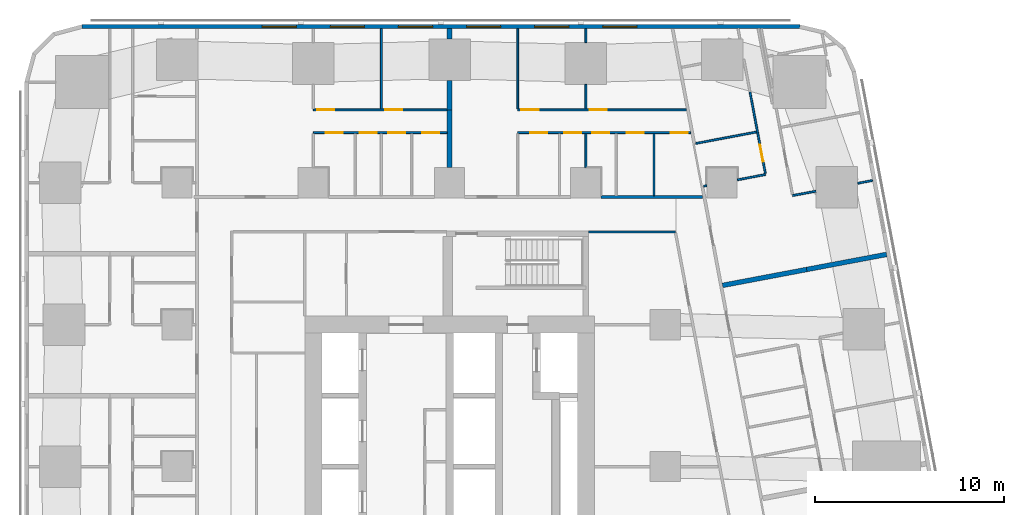
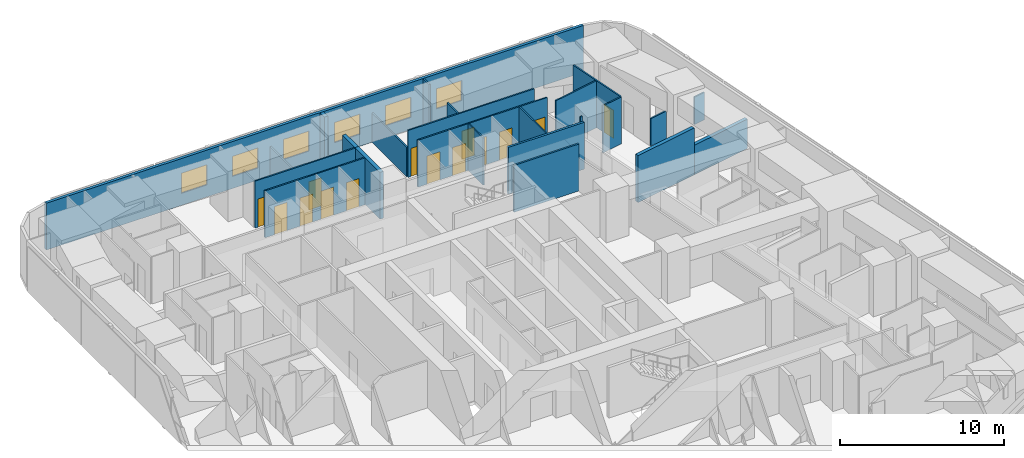
# One storey, part 9 of 15: 24 walls, 14 doors, 6 windows, 20 openings.
"""IFC4 building model written with IfcOpenShell, lengths in metres."""

from ifc_helpers import new_model, si_unit, direction, frame, frame_2d, origin, place, context, subcontext, project, spatial, rectangle, extrude, material, layer, layer_set, type_object, element, fill, save


model = new_model("IFC4")

# Units and contexts
model_context = context("Model", 3, precision=1e-05, world=origin(), true_north=direction((0.0, 1.0)))
body_context = subcontext(model_context, "Body", "Model", "MODEL_VIEW")
ifc_project = project(units=[si_unit("LENGTHUNIT", "METRE"), si_unit("AREAUNIT", "SQUARE_METRE"), si_unit("VOLUMEUNIT", "CUBIC_METRE"), si_unit("PLANEANGLEUNIT", "RADIAN"), si_unit("MASSUNIT", "GRAM", prefix="KILO")], contexts=[model_context])

# Site, building, storey
site_placement = place(None, origin())
site = spatial("IfcSite", under=ifc_project, at=site_placement, CompositionType="ELEMENT")
building_placement = place(site_placement, origin())
building = spatial("IfcBuilding", under=site, at=building_placement, Name="Sheger Commons Tower", CompositionType="ELEMENT")
storey_placement = place(building_placement, frame((0.0, 0.0, 100.39990234375)))
storey = spatial("IfcBuildingStorey", under=building, at=storey_placement, Name="L25", CompositionType="ELEMENT", Elevation=100.39990234375)

# Walls
ifc_material_1 = material(Name="Hollow concrete block masonry, skimmed both sides", Category="masonry")
ifc_layer_1 = layer(ifc_material_1, 0.14990234375)
ifc_layer_set_1 = layer_set([ifc_layer_1], Name="CORRIDOR WALL 150")
wall_type_1 = type_object("IfcWallType", Name="CORRIDOR WALL 150", PredefinedType="SOLIDWALL", material=ifc_layer_set_1)
wall_1_placement = place(storey_placement, frame((29.60107421875, 36.75, 0.0), z_axis=(0.0, 0.0, 1.0), x_axis=(1.0, 0.0, 0.0)))
element("IfcWall", 1, at=wall_1_placement, inside=storey, type_object=wall_type_1, Name="Corridor wall L25", PredefinedType="SOLIDWALL", context=body_context, shape_type="SweptSolid", body=[
    extrude(rectangle(XDim=5.371826171875, YDim=0.14990234375, at=frame_2d((2.68603515625, 0.0))), origin(), (0.0, 0.0, 1.0), 3.5),
])
ifc_material_2 = material(Name="Dense concrete block masonry, plastered both sides (separating wall between flats)", Category="masonry")
ifc_layer_2 = layer(ifc_material_2, 0.25)
ifc_layer_set_2 = layer_set([ifc_layer_2], Name="DEMISING WALL 250")
wall_type_2 = type_object("IfcWallType", Name="DEMISING WALL 250", PredefinedType="SOLIDWALL", material=ifc_layer_set_2)
wall_2_placement = place(storey_placement, frame((44.693115234375, 33.712890625, 0.0), z_axis=(0.0, 0.0, 1.0), x_axis=(-0.982633535512, -0.185556823879, 0.0)))
element("IfcWall", 2, at=wall_2_placement, inside=storey, type_object=wall_type_2, Name="Demising wall L25", PredefinedType="SOLIDWALL", context=body_context, shape_type="SweptSolid", body=[
    extrude(rectangle(XDim=4.2998046875, YDim=0.25, at=frame_2d((2.14990234375, 0.0))), origin(), (0.0, 0.0, 1.0), 2.2001953125),
])
wall_3_placement = place(storey_placement, frame((40.468017578125, 32.9150390625, 0.0), z_axis=(0.0, 0.0, 1.0), x_axis=(-0.982612837616, -0.185666398014, 0.0)))
element("IfcWall", 3, at=wall_3_placement, inside=storey, type_object=wall_type_2, Name="Demising wall L25", PredefinedType="SOLIDWALL", context=body_context, shape_type="SweptSolid", body=[
    extrude(rectangle(XDim=4.524658203125, YDim=0.25, at=frame_2d((2.26220703125, 0.0))), origin(), (0.0, 0.0, 1.0), 3.5),
])
wall_4_placement = place(storey_placement, frame((21.60009765625, 41.35009765625, 0.0), z_axis=(0.0, 0.0, 1.0), x_axis=(0.0, 1.0, 0.0)))
element("IfcWall", 4, at=wall_4_placement, inside=storey, type_object=wall_type_2, Name="Demising wall L25", PredefinedType="SOLIDWALL", context=body_context, shape_type="SweptSolid", body=[
    extrude(rectangle(XDim=1.548828125, YDim=0.25, at=frame_2d((0.7744140625, 0.0))), origin(), (0.0, 0.0, 1.0), 3.5),
])
wall_5_placement = place(storey_placement, frame((21.60009765625, 45.10107421875, 0.0), z_axis=(0.0, 0.0, 1.0), x_axis=(0.0, 1.0, 0.0)))
element("IfcWall", 5, at=wall_5_placement, inside=storey, type_object=wall_type_2, Name="Demising wall L25", PredefinedType="SOLIDWALL", context=body_context, shape_type="SweptSolid", body=[
    extrude(rectangle(XDim=0.548828125, YDim=0.25, at=frame_2d((0.2744140625, 0.0))), origin(), (0.0, 0.0, 1.0), 3.5),
])
wall_6_placement = place(storey_placement, frame((21.60009765625, 38.301025390625, 0.0), z_axis=(0.0, 0.0, 1.0), x_axis=(0.0, 1.0, 0.0)))
element("IfcWall", 6, at=wall_6_placement, inside=storey, type_object=wall_type_2, Name="Demising wall L25", PredefinedType="SOLIDWALL", context=body_context, shape_type="SweptSolid", body=[
    extrude(rectangle(XDim=3.049072265625, YDim=0.25, at=frame_2d((1.5244140625, 0.0))), origin(), (0.0, 0.0, 1.0), 3.5),
])

# Wall, openings, windows
ifc_material_3 = material(Name="Rendered concrete block masonry, dark grey", Category="masonry")
ifc_layer_3 = layer(ifc_material_3, 0.199951171875)
ifc_layer_set_3 = layer_set([ifc_layer_3], Name="FACADE WALL 200")
wall_type_3 = type_object("IfcWallType", Name="FACADE WALL 200", PredefinedType="SOLIDWALL", material=ifc_layer_set_3)
wall_7_placement = place(storey_placement, frame((40.10595703125, 45.75, 0.0), z_axis=(0.0, 0.0, 1.0), x_axis=(-1.0, 0.0, 0.0)))
wall_7 = element("IfcWall", 7, at=wall_7_placement, inside=storey, type_object=wall_type_3, Name="Facade wall L25", PredefinedType="SOLIDWALL", context=body_context, shape_type="SweptSolid", body=[
    extrude(rectangle(XDim=37.94287109375, YDim=0.199951171875, at=frame_2d((18.971435546875, 0.0))), origin(), (0.0, 0.0, 1.0), 3.5),
])
opening_1_placement = place(wall_7_placement, frame((8.60595703125, 0.0, 0.89990234375)))
opening_1 = element("IfcOpeningElement", 8, at=opening_1_placement, cuts=wall_7, Name="Opening W2", PredefinedType="OPENING", context=body_context, shape_type="SweptSolid", body=[
    extrude(rectangle(XDim=1.800048828125, YDim=1.5, at=frame_2d((0.89990234375, 0.75))), frame((0.0, 0.10986328125, 0.0), z_axis=(0.0, -1.0, 0.0), x_axis=(1.0, 0.0, 0.0)), (0.0, 0.0, 1.0), 0.219970703125),
])
opening_2_placement = place(wall_7_placement, frame((12.2060546875, 0.0, 0.89990234375)))
opening_2 = element("IfcOpeningElement", 9, at=opening_2_placement, cuts=wall_7, Name="Opening W2", PredefinedType="OPENING", context=body_context, shape_type="SweptSolid", body=[
    extrude(rectangle(XDim=1.800048828125, YDim=1.5, at=frame_2d((0.89990234375, 0.75))), frame((0.0, 0.10986328125, 0.0), z_axis=(0.0, -1.0, 0.0), x_axis=(1.0, 0.0, 0.0)), (0.0, 0.0, 1.0), 0.219970703125),
])
opening_3_placement = place(wall_7_placement, frame((15.805908203125, 0.0, 0.89990234375)))
opening_3 = element("IfcOpeningElement", 10, at=opening_3_placement, cuts=wall_7, Name="Opening W2", PredefinedType="OPENING", context=body_context, shape_type="SweptSolid", body=[
    extrude(rectangle(XDim=1.800048828125, YDim=1.5, at=frame_2d((0.89990234375, 0.75))), frame((0.0, 0.10986328125, 0.0), z_axis=(0.0, -1.0, 0.0), x_axis=(1.0, 0.0, 0.0)), (0.0, 0.0, 1.0), 0.219970703125),
])
opening_4_placement = place(wall_7_placement, frame((19.406005859375, 0.0, 0.89990234375)))
opening_4 = element("IfcOpeningElement", 11, at=opening_4_placement, cuts=wall_7, Name="Opening W2", PredefinedType="OPENING", context=body_context, shape_type="SweptSolid", body=[
    extrude(rectangle(XDim=1.800048828125, YDim=1.5, at=frame_2d((0.89990234375, 0.75))), frame((0.0, 0.10986328125, 0.0), z_axis=(0.0, -1.0, 0.0), x_axis=(1.0, 0.0, 0.0)), (0.0, 0.0, 1.0), 0.219970703125),
])
opening_5_placement = place(wall_7_placement, frame((23.006103515625, 0.0, 0.89990234375)))
opening_5 = element("IfcOpeningElement", 12, at=opening_5_placement, cuts=wall_7, Name="Opening W2", PredefinedType="OPENING", context=body_context, shape_type="SweptSolid", body=[
    extrude(rectangle(XDim=1.800048828125, YDim=1.5, at=frame_2d((0.89990234375, 0.75))), frame((0.0, 0.10986328125, 0.0), z_axis=(0.0, -1.0, 0.0), x_axis=(1.0, 0.0, 0.0)), (0.0, 0.0, 1.0), 0.219970703125),
])
opening_6_placement = place(wall_7_placement, frame((26.60595703125, 0.0, 0.89990234375)))
opening_6 = element("IfcOpeningElement", 13, at=opening_6_placement, cuts=wall_7, Name="Opening W2", PredefinedType="OPENING", context=body_context, shape_type="SweptSolid", body=[
    extrude(rectangle(XDim=1.800048828125, YDim=1.5, at=frame_2d((0.89990234375, 0.75))), frame((0.0, 0.10986328125, 0.0), z_axis=(0.0, -1.0, 0.0), x_axis=(1.0, 0.0, 0.0)), (0.0, 0.0, 1.0), 0.219970703125),
])
ifc_material_4 = material(Name="Black aluminium frame, dark tinted double glazing", Category="aluminium")
window_type = type_object("IfcWindowType", Name="WINDOW W2 1800x1500", PartitioningType="SINGLE_PANEL", PredefinedType="WINDOW", material=ifc_material_4)
window_1_placement = place(opening_1_placement, origin())
window_1 = element("IfcWindow", 14, at=window_1_placement, inside=storey, type_object=window_type, Name="Window W2 1800X1500", OverallHeight=1.5, OverallWidth=1.800048828125, PartitioningType="SINGLE_PANEL", PredefinedType="WINDOW", context=body_context, shape_type="SweptSolid", body=[
    extrude(rectangle(XDim=1.800048828125, YDim=1.5, at=frame_2d((0.89990234375, 0.75))), frame((0.0, 0.030029296875, 0.0), z_axis=(0.0, -1.0, 0.0), x_axis=(1.0, 0.0, 0.0)), (0.0, 0.0, 1.0), 0.06005859375),
])
fill(opening_1, window_1)
window_2_placement = place(opening_2_placement, origin())
window_2 = element("IfcWindow", 15, at=window_2_placement, inside=storey, type_object=window_type, Name="Window W2 1800X1500", OverallHeight=1.5, OverallWidth=1.800048828125, PartitioningType="SINGLE_PANEL", PredefinedType="WINDOW", context=body_context, shape_type="SweptSolid", body=[
    extrude(rectangle(XDim=1.800048828125, YDim=1.5, at=frame_2d((0.89990234375, 0.75))), frame((0.0, 0.030029296875, 0.0), z_axis=(0.0, -1.0, 0.0), x_axis=(1.0, 0.0, 0.0)), (0.0, 0.0, 1.0), 0.06005859375),
])
fill(opening_2, window_2)
window_3_placement = place(opening_3_placement, origin())
window_3 = element("IfcWindow", 16, at=window_3_placement, inside=storey, type_object=window_type, Name="Window W2 1800X1500", OverallHeight=1.5, OverallWidth=1.800048828125, PartitioningType="SINGLE_PANEL", PredefinedType="WINDOW", context=body_context, shape_type="SweptSolid", body=[
    extrude(rectangle(XDim=1.800048828125, YDim=1.5, at=frame_2d((0.89990234375, 0.75))), frame((0.0, 0.030029296875, 0.0), z_axis=(0.0, -1.0, 0.0), x_axis=(1.0, 0.0, 0.0)), (0.0, 0.0, 1.0), 0.06005859375),
])
fill(opening_3, window_3)
window_4_placement = place(opening_4_placement, origin())
window_4 = element("IfcWindow", 17, at=window_4_placement, inside=storey, type_object=window_type, Name="Window W2 1800X1500", OverallHeight=1.5, OverallWidth=1.800048828125, PartitioningType="SINGLE_PANEL", PredefinedType="WINDOW", context=body_context, shape_type="SweptSolid", body=[
    extrude(rectangle(XDim=1.800048828125, YDim=1.5, at=frame_2d((0.89990234375, 0.75))), frame((0.0, 0.030029296875, 0.0), z_axis=(0.0, -1.0, 0.0), x_axis=(1.0, 0.0, 0.0)), (0.0, 0.0, 1.0), 0.06005859375),
])
fill(opening_4, window_4)
window_5_placement = place(opening_5_placement, origin())
window_5 = element("IfcWindow", 18, at=window_5_placement, inside=storey, type_object=window_type, Name="Window W2 1800X1500", OverallHeight=1.5, OverallWidth=1.800048828125, PartitioningType="SINGLE_PANEL", PredefinedType="WINDOW", context=body_context, shape_type="SweptSolid", body=[
    extrude(rectangle(XDim=1.800048828125, YDim=1.5, at=frame_2d((0.89990234375, 0.75))), frame((0.0, 0.030029296875, 0.0), z_axis=(0.0, -1.0, 0.0), x_axis=(1.0, 0.0, 0.0)), (0.0, 0.0, 1.0), 0.06005859375),
])
fill(opening_5, window_5)
window_6_placement = place(opening_6_placement, origin())
window_6 = element("IfcWindow", 19, at=window_6_placement, inside=storey, type_object=window_type, Name="Window W2 1800X1500", OverallHeight=1.5, OverallWidth=1.800048828125, PartitioningType="SINGLE_PANEL", PredefinedType="WINDOW", context=body_context, shape_type="SweptSolid", body=[
    extrude(rectangle(XDim=1.800048828125, YDim=1.5, at=frame_2d((0.89990234375, 0.75))), frame((0.0, 0.030029296875, 0.0), z_axis=(0.0, -1.0, 0.0), x_axis=(1.0, 0.0, 0.0)), (0.0, 0.0, 1.0), 0.06005859375),
])
fill(opening_6, window_6)

# Wall, opening, door
ifc_material_5 = material(Name="Gypsum board on steel studs", Category="steel")
ifc_layer_4 = layer(ifc_material_5, 0.10009765625)
ifc_layer_set_4 = layer_set([ifc_layer_4], Name="PARTITION 100")
wall_type_4 = type_object("IfcWallType", Name="PARTITION 100", PredefinedType="PARTITIONING", material=ifc_layer_set_4)
wall_8_placement = place(storey_placement, frame((37.471923828125, 42.30908203125, 0.0), z_axis=(0.0, 0.0, 1.0), x_axis=(0.185641287362, -0.982617581985, 0.0)))
wall_8 = element("IfcWall", 20, at=wall_8_placement, inside=storey, type_object=wall_type_4, Name="Partition L25", PredefinedType="PARTITIONING", context=body_context, shape_type="SweptSolid", body=[
    extrude(rectangle(XDim=4.401611328125, YDim=0.10009765625, at=frame_2d((2.20068359375, 0.0))), origin(), (0.0, 0.0, 1.0), 3.5),
])
opening_7_placement = place(wall_8_placement, frame((2.85400390625, 0.0, 0.0)))
opening_7 = element("IfcOpeningElement", 21, at=opening_7_placement, cuts=wall_8, Name="Opening D2", PredefinedType="OPENING", context=body_context, shape_type="SweptSolid", body=[
    extrude(rectangle(XDim=0.89990234375, YDim=2.10009765625, at=frame_2d((0.449951171875, 1.050048828125))), frame((0.0, 0.06005859375, 0.0), z_axis=(0.0, -1.0, 0.0), x_axis=(1.0, 0.0, 0.0)), (0.0, 0.0, 1.0), 0.1201171875),
])
ifc_material_6 = material(Name="Timber door set", Category="wood")
door_type = type_object("IfcDoorType", Name="INTERNAL DOOR 900x2100", OperationType="NOTDEFINED", PredefinedType="DOOR", material=ifc_material_6)
door_1_placement = place(opening_7_placement, origin())
door_1 = element("IfcDoor", 22, at=door_1_placement, inside=storey, type_object=door_type, Name="Bathroom door", OperationType="SINGLE_SWING_LEFT", OverallHeight=2.10009765625, OverallWidth=0.89990234375, PredefinedType="DOOR", context=body_context, shape_type="SweptSolid", body=[
    extrude(rectangle(XDim=0.89990234375, YDim=2.10009765625, at=frame_2d((0.449951171875, 1.050048828125))), frame((0.0, 0.02490234375, 0.0), z_axis=(0.0, -1.0, 0.0), x_axis=(1.0, 0.0, 0.0)), (0.0, 0.0, 1.0), 0.050048828125),
])
fill(opening_7, door_1)

# Walls
wall_9_placement = place(storey_placement, frame((43.955078125, 37.6201171875, 0.0), z_axis=(0.0, 0.0, 1.0), x_axis=(-0.98247004097, -0.186420542316, 0.0)))
element("IfcWall", 23, at=wall_9_placement, inside=storey, type_object=wall_type_4, Name="Partition L25", PredefinedType="PARTITIONING", context=body_context, shape_type="SweptSolid", body=[
    extrude(rectangle(XDim=0.794921875, YDim=0.10009765625, at=frame_2d((0.3974609375, 0.0))), origin(), (0.0, 0.0, 1.0), 2.050048828125),
])
wall_10_placement = place(storey_placement, frame((40.9541015625, 37.052978515625, 0.0), z_axis=(0.0, 0.0, 1.0), x_axis=(-0.982663001154, -0.185400717808, 0.0)))
element("IfcWall", 24, at=wall_10_placement, inside=storey, type_object=wall_type_4, Name="Partition L25", PredefinedType="PARTITIONING", context=body_context, shape_type="SweptSolid", body=[
    extrude(rectangle(XDim=1.24560546875, YDim=0.10009765625, at=frame_2d((0.622802734375, 0.0))), origin(), (0.0, 0.0, 1.0), 2.050048828125),
])
wall_11_placement = place(storey_placement, frame((37.822998046875, 40.181884765625, 0.0), z_axis=(0.0, 0.0, 1.0), x_axis=(-0.982664729897, -0.18539155487, 0.0)))
element("IfcWall", 25, at=wall_11_placement, inside=storey, type_object=wall_type_4, Name="Partition L25", PredefinedType="PARTITIONING", context=body_context, shape_type="SweptSolid", body=[
    extrude(rectangle(XDim=3.273681640625, YDim=0.10009765625, at=frame_2d((1.63671875, 0.0))), origin(), (0.0, 0.0, 1.0), 3.5),
])
wall_12_placement = place(storey_placement, frame((38.299072265625, 37.93505859375, 0.0), z_axis=(0.0, 0.0, 1.0), x_axis=(-0.982536828695, -0.186068213993, 0.0)))
element("IfcWall", 26, at=wall_12_placement, inside=storey, type_object=wall_type_4, Name="Partition L25", PredefinedType="PARTITIONING", context=body_context, shape_type="SweptSolid", body=[
    extrude(rectangle(XDim=1.515380859375, YDim=0.10009765625, at=frame_2d((0.7578125, 0.0))), origin(), (0.0, 0.0, 1.0), 3.5),
])
wall_13_placement = place(storey_placement, frame((35.18994140625, 37.346923828125, 0.0), z_axis=(0.0, 0.0, 1.0), x_axis=(-0.982404955251, -0.186763229514, 0.0)))
element("IfcWall", 27, at=wall_13_placement, inside=storey, type_object=wall_type_4, Name="Partition L25", PredefinedType="PARTITIONING", context=body_context, shape_type="SweptSolid", body=[
    extrude(rectangle(XDim=0.160888671875, YDim=0.10009765625, at=frame_2d((0.08056640625, 0.0))), origin(), (0.0, 0.0, 1.0), 3.5),
])

# Wall, openings, doors
wall_14_placement = place(storey_placement, frame((14.39990234375, 41.35009765625, 0.0), z_axis=(0.0, 0.0, 1.0), x_axis=(1.0, 0.0, 0.0)))
wall_14 = element("IfcWall", 28, at=wall_14_placement, inside=storey, type_object=wall_type_4, Name="Partition L25", PredefinedType="PARTITIONING", context=body_context, shape_type="SweptSolid", body=[
    extrude(rectangle(XDim=7.0751953125, YDim=0.10009765625, at=frame_2d((3.53759765625, 0.0))), origin(), (0.0, 0.0, 1.0), 3.5),
])
opening_8_placement = place(wall_14_placement, frame((0.199951171875, 0.0, 0.0)))
opening_8 = element("IfcOpeningElement", 29, at=opening_8_placement, cuts=wall_14, Name="Opening D2", PredefinedType="OPENING", context=body_context, shape_type="SweptSolid", body=[
    extrude(rectangle(XDim=0.89990234375, YDim=2.10009765625, at=frame_2d((0.449951171875, 1.050048828125))), frame((0.0, 0.06005859375, 0.0), z_axis=(0.0, -1.0, 0.0), x_axis=(1.0, 0.0, 0.0)), (0.0, 0.0, 1.0), 0.1201171875),
])
opening_9_placement = place(wall_14_placement, frame((3.800048828125, 0.0, 0.0)))
opening_9 = element("IfcOpeningElement", 30, at=opening_9_placement, cuts=wall_14, Name="Opening D2", PredefinedType="OPENING", context=body_context, shape_type="SweptSolid", body=[
    extrude(rectangle(XDim=0.89990234375, YDim=2.10009765625, at=frame_2d((0.449951171875, 1.050048828125))), frame((0.0, 0.06005859375, 0.0), z_axis=(0.0, -1.0, 0.0), x_axis=(1.0, 0.0, 0.0)), (0.0, 0.0, 1.0), 0.1201171875),
])
door_2_placement = place(opening_8_placement, origin())
door_2 = element("IfcDoor", 31, at=door_2_placement, inside=storey, type_object=door_type, Name="Main bedroom door", OperationType="SINGLE_SWING_LEFT", OverallHeight=2.10009765625, OverallWidth=0.89990234375, PredefinedType="DOOR", context=body_context, shape_type="SweptSolid", body=[
    extrude(rectangle(XDim=0.89990234375, YDim=2.10009765625, at=frame_2d((0.449951171875, 1.050048828125))), frame((0.0, 0.02490234375, 0.0), z_axis=(0.0, -1.0, 0.0), x_axis=(1.0, 0.0, 0.0)), (0.0, 0.0, 1.0), 0.050048828125),
])
fill(opening_8, door_2)
door_3_placement = place(opening_9_placement, origin())
door_3 = element("IfcDoor", 32, at=door_3_placement, inside=storey, type_object=door_type, Name="Bedroom 2 door", OperationType="SINGLE_SWING_LEFT", OverallHeight=2.10009765625, OverallWidth=0.89990234375, PredefinedType="DOOR", context=body_context, shape_type="SweptSolid", body=[
    extrude(rectangle(XDim=0.89990234375, YDim=2.10009765625, at=frame_2d((0.449951171875, 1.050048828125))), frame((0.0, 0.02490234375, 0.0), z_axis=(0.0, -1.0, 0.0), x_axis=(1.0, 0.0, 0.0)), (0.0, 0.0, 1.0), 0.050048828125),
])
fill(opening_9, door_3)

wall_15_placement = place(storey_placement, frame((14.39990234375, 40.14990234375, 0.0), z_axis=(0.0, 0.0, 1.0), x_axis=(1.0, 0.0, 0.0)))
wall_15 = element("IfcWall", 33, at=wall_15_placement, inside=storey, type_object=wall_type_4, Name="Partition L25", PredefinedType="PARTITIONING", context=body_context, shape_type="SweptSolid", body=[
    extrude(rectangle(XDim=7.0751953125, YDim=0.10009765625, at=frame_2d((3.53759765625, 0.0))), origin(), (0.0, 0.0, 1.0), 3.5),
])
opening_10_placement = place(wall_15_placement, frame((0.655029296875, 0.0, 0.0)))
opening_10 = element("IfcOpeningElement", 34, at=opening_10_placement, cuts=wall_15, Name="Opening D2", PredefinedType="OPENING", context=body_context, shape_type="SweptSolid", body=[
    extrude(rectangle(XDim=0.89990234375, YDim=2.10009765625, at=frame_2d((0.449951171875, 1.050048828125))), frame((0.0, 0.06005859375, 0.0), z_axis=(0.0, -1.0, 0.0), x_axis=(1.0, 0.0, 0.0)), (0.0, 0.0, 1.0), 0.1201171875),
])
opening_11_placement = place(wall_15_placement, frame((3.949951171875, 0.0, 0.0)))
opening_11 = element("IfcOpeningElement", 35, at=opening_11_placement, cuts=wall_15, Name="Opening D2", PredefinedType="OPENING", context=body_context, shape_type="SweptSolid", body=[
    extrude(rectangle(XDim=0.89990234375, YDim=2.10009765625, at=frame_2d((0.449951171875, 1.050048828125))), frame((0.0, 0.06005859375, 0.0), z_axis=(0.0, -1.0, 0.0), x_axis=(1.0, 0.0, 0.0)), (0.0, 0.0, 1.0), 0.1201171875),
])
opening_12_placement = place(wall_15_placement, frame((2.455078125, 0.0, 0.0)))
opening_12 = element("IfcOpeningElement", 36, at=opening_12_placement, cuts=wall_15, Name="Opening D2", PredefinedType="OPENING", context=body_context, shape_type="SweptSolid", body=[
    extrude(rectangle(XDim=0.89990234375, YDim=2.10009765625, at=frame_2d((0.449951171875, 1.050048828125))), frame((0.0, 0.06005859375, 0.0), z_axis=(0.0, -1.0, 0.0), x_axis=(1.0, 0.0, 0.0)), (0.0, 0.0, 1.0), 0.1201171875),
])
opening_13_placement = place(wall_15_placement, frame((5.75, 0.0, 0.0)))
opening_13 = element("IfcOpeningElement", 37, at=opening_13_placement, cuts=wall_15, Name="Opening D2", PredefinedType="OPENING", context=body_context, shape_type="SweptSolid", body=[
    extrude(rectangle(XDim=0.89990234375, YDim=2.10009765625, at=frame_2d((0.449951171875, 1.050048828125))), frame((0.0, 0.06005859375, 0.0), z_axis=(0.0, -1.0, 0.0), x_axis=(1.0, 0.0, 0.0)), (0.0, 0.0, 1.0), 0.1201171875),
])
door_4_placement = place(opening_10_placement, origin())
door_4 = element("IfcDoor", 38, at=door_4_placement, inside=storey, type_object=door_type, Name="Bathroom door", OperationType="SINGLE_SWING_RIGHT", OverallHeight=2.10009765625, OverallWidth=0.89990234375, PredefinedType="DOOR", context=body_context, shape_type="SweptSolid", body=[
    extrude(rectangle(XDim=0.89990234375, YDim=2.10009765625, at=frame_2d((0.449951171875, 1.050048828125))), frame((0.0, 0.02490234375, 0.0), z_axis=(0.0, -1.0, 0.0), x_axis=(1.0, 0.0, 0.0)), (0.0, 0.0, 1.0), 0.050048828125),
])
fill(opening_10, door_4)
door_5_placement = place(opening_11_placement, origin())
door_5 = element("IfcDoor", 39, at=door_5_placement, inside=storey, type_object=door_type, Name="Shower room door", OperationType="SINGLE_SWING_LEFT", OverallHeight=2.10009765625, OverallWidth=0.89990234375, PredefinedType="DOOR", context=body_context, shape_type="SweptSolid", body=[
    extrude(rectangle(XDim=0.89990234375, YDim=2.10009765625, at=frame_2d((0.449951171875, 1.050048828125))), frame((0.0, 0.02490234375, 0.0), z_axis=(0.0, -1.0, 0.0), x_axis=(1.0, 0.0, 0.0)), (0.0, 0.0, 1.0), 0.050048828125),
])
fill(opening_11, door_5)
door_6_placement = place(opening_12_placement, origin())
door_6 = element("IfcDoor", 40, at=door_6_placement, inside=storey, type_object=door_type, Name="Store door", OperationType="SINGLE_SWING_LEFT", OverallHeight=2.10009765625, OverallWidth=0.89990234375, PredefinedType="DOOR", context=body_context, shape_type="SweptSolid", body=[
    extrude(rectangle(XDim=0.89990234375, YDim=2.10009765625, at=frame_2d((0.449951171875, 1.050048828125))), frame((0.0, 0.02490234375, 0.0), z_axis=(0.0, -1.0, 0.0), x_axis=(1.0, 0.0, 0.0)), (0.0, 0.0, 1.0), 0.050048828125),
])
fill(opening_12, door_6)
door_7_placement = place(opening_13_placement, origin())
door_7 = element("IfcDoor", 41, at=door_7_placement, inside=storey, type_object=door_type, Name="Store door", OperationType="SINGLE_SWING_LEFT", OverallHeight=2.10009765625, OverallWidth=0.89990234375, PredefinedType="DOOR", context=body_context, shape_type="SweptSolid", body=[
    extrude(rectangle(XDim=0.89990234375, YDim=2.10009765625, at=frame_2d((0.449951171875, 1.050048828125))), frame((0.0, 0.02490234375, 0.0), z_axis=(0.0, -1.0, 0.0), x_axis=(1.0, 0.0, 0.0)), (0.0, 0.0, 1.0), 0.050048828125),
])
fill(opening_13, door_7)

# Wall
wall_16_placement = place(storey_placement, frame((18.0, 41.39990234375, 0.0), z_axis=(0.0, 0.0, 1.0), x_axis=(0.0, 1.0, 0.0)))
element("IfcWall", 42, at=wall_16_placement, inside=storey, type_object=wall_type_4, Name="Partition L25", PredefinedType="PARTITIONING", context=body_context, shape_type="SweptSolid", body=[
    extrude(rectangle(XDim=4.25, YDim=0.10009765625, at=frame_2d((2.125, 0.0))), origin(), (0.0, 0.0, 1.0), 2.2001953125),
])

# Wall, openings, doors
wall_17_placement = place(storey_placement, frame((25.199951171875, 41.35009765625, 0.0), z_axis=(0.0, 0.0, 1.0), x_axis=(1.0, 0.0, 0.0)))
wall_17 = element("IfcWall", 43, at=wall_17_placement, inside=storey, type_object=wall_type_4, Name="Partition L25", PredefinedType="PARTITIONING", context=body_context, shape_type="SweptSolid", body=[
    extrude(rectangle(XDim=8.907958984375, YDim=0.10009765625, at=frame_2d((4.4541015625, 0.0))), origin(), (0.0, 0.0, 1.0), 3.5),
])
opening_14_placement = place(wall_17_placement, frame((0.199951171875, 0.0, 0.0)))
opening_14 = element("IfcOpeningElement", 44, at=opening_14_placement, cuts=wall_17, Name="Opening D2", PredefinedType="OPENING", context=body_context, shape_type="SweptSolid", body=[
    extrude(rectangle(XDim=0.89990234375, YDim=2.10009765625, at=frame_2d((0.449951171875, 1.050048828125))), frame((0.0, 0.06005859375, 0.0), z_axis=(0.0, -1.0, 0.0), x_axis=(1.0, 0.0, 0.0)), (0.0, 0.0, 1.0), 0.1201171875),
])
opening_15_placement = place(wall_17_placement, frame((3.800048828125, 0.0, 0.0)))
opening_15 = element("IfcOpeningElement", 45, at=opening_15_placement, cuts=wall_17, Name="Opening D2", PredefinedType="OPENING", context=body_context, shape_type="SweptSolid", body=[
    extrude(rectangle(XDim=0.89990234375, YDim=2.10009765625, at=frame_2d((0.449951171875, 1.050048828125))), frame((0.0, 0.06005859375, 0.0), z_axis=(0.0, -1.0, 0.0), x_axis=(1.0, 0.0, 0.0)), (0.0, 0.0, 1.0), 0.1201171875),
])
door_8_placement = place(opening_14_placement, origin())
door_8 = element("IfcDoor", 46, at=door_8_placement, inside=storey, type_object=door_type, Name="Main bedroom door", OperationType="SINGLE_SWING_LEFT", OverallHeight=2.10009765625, OverallWidth=0.89990234375, PredefinedType="DOOR", context=body_context, shape_type="SweptSolid", body=[
    extrude(rectangle(XDim=0.89990234375, YDim=2.10009765625, at=frame_2d((0.449951171875, 1.050048828125))), frame((0.0, 0.02490234375, 0.0), z_axis=(0.0, -1.0, 0.0), x_axis=(1.0, 0.0, 0.0)), (0.0, 0.0, 1.0), 0.050048828125),
])
fill(opening_14, door_8)
door_9_placement = place(opening_15_placement, origin())
door_9 = element("IfcDoor", 47, at=door_9_placement, inside=storey, type_object=door_type, Name="Bedroom 2 door", OperationType="SINGLE_SWING_RIGHT", OverallHeight=2.10009765625, OverallWidth=0.89990234375, PredefinedType="DOOR", context=body_context, shape_type="SweptSolid", body=[
    extrude(rectangle(XDim=0.89990234375, YDim=2.10009765625, at=frame_2d((0.449951171875, 1.050048828125))), frame((0.0, 0.02490234375, 0.0), z_axis=(0.0, -1.0, 0.0), x_axis=(1.0, 0.0, 0.0)), (0.0, 0.0, 1.0), 0.050048828125),
])
fill(opening_15, door_9)

wall_18_placement = place(storey_placement, frame((25.199951171875, 40.14990234375, 0.0), z_axis=(0.0, 0.0, 1.0), x_axis=(1.0, 0.0, 0.0)))
wall_18 = element("IfcWall", 48, at=wall_18_placement, inside=storey, type_object=wall_type_4, Name="Partition L25", PredefinedType="PARTITIONING", context=body_context, shape_type="SweptSolid", body=[
    extrude(rectangle(XDim=9.135009765625, YDim=0.10009765625, at=frame_2d((4.5673828125, 0.0))), origin(), (0.0, 0.0, 1.0), 3.5),
])
opening_16_placement = place(wall_18_placement, frame((0.655029296875, 0.0, 0.0)))
opening_16 = element("IfcOpeningElement", 49, at=opening_16_placement, cuts=wall_18, Name="Opening D2", PredefinedType="OPENING", context=body_context, shape_type="SweptSolid", body=[
    extrude(rectangle(XDim=0.89990234375, YDim=2.10009765625, at=frame_2d((0.449951171875, 1.050048828125))), frame((0.0, 0.06005859375, 0.0), z_axis=(0.0, -1.0, 0.0), x_axis=(1.0, 0.0, 0.0)), (0.0, 0.0, 1.0), 0.1201171875),
])
opening_17_placement = place(wall_18_placement, frame((3.949951171875, 0.0, 0.0)))
opening_17 = element("IfcOpeningElement", 50, at=opening_17_placement, cuts=wall_18, Name="Opening D2", PredefinedType="OPENING", context=body_context, shape_type="SweptSolid", body=[
    extrude(rectangle(XDim=0.89990234375, YDim=2.10009765625, at=frame_2d((0.449951171875, 1.050048828125))), frame((0.0, 0.06005859375, 0.0), z_axis=(0.0, -1.0, 0.0), x_axis=(1.0, 0.0, 0.0)), (0.0, 0.0, 1.0), 0.1201171875),
])
opening_18_placement = place(wall_18_placement, frame((8.0810546875, 0.0, 0.0)))
opening_18 = element("IfcOpeningElement", 51, at=opening_18_placement, cuts=wall_18, Name="Opening D2", PredefinedType="OPENING", context=body_context, shape_type="SweptSolid", body=[
    extrude(rectangle(XDim=0.89990234375, YDim=2.10009765625, at=frame_2d((0.449951171875, 1.050048828125))), frame((0.0, 0.06005859375, 0.0), z_axis=(0.0, -1.0, 0.0), x_axis=(1.0, 0.0, 0.0)), (0.0, 0.0, 1.0), 0.1201171875),
])
opening_19_placement = place(wall_18_placement, frame((2.455078125, 0.0, 0.0)))
opening_19 = element("IfcOpeningElement", 52, at=opening_19_placement, cuts=wall_18, Name="Opening D2", PredefinedType="OPENING", context=body_context, shape_type="SweptSolid", body=[
    extrude(rectangle(XDim=0.89990234375, YDim=2.10009765625, at=frame_2d((0.449951171875, 1.050048828125))), frame((0.0, 0.06005859375, 0.0), z_axis=(0.0, -1.0, 0.0), x_axis=(1.0, 0.0, 0.0)), (0.0, 0.0, 1.0), 0.1201171875),
])
opening_20_placement = place(wall_18_placement, frame((5.75, 0.0, 0.0)))
opening_20 = element("IfcOpeningElement", 53, at=opening_20_placement, cuts=wall_18, Name="Opening D2", PredefinedType="OPENING", context=body_context, shape_type="SweptSolid", body=[
    extrude(rectangle(XDim=0.89990234375, YDim=2.10009765625, at=frame_2d((0.449951171875, 1.050048828125))), frame((0.0, 0.06005859375, 0.0), z_axis=(0.0, -1.0, 0.0), x_axis=(1.0, 0.0, 0.0)), (0.0, 0.0, 1.0), 0.1201171875),
])
door_10_placement = place(opening_16_placement, origin())
door_10 = element("IfcDoor", 54, at=door_10_placement, inside=storey, type_object=door_type, Name="Bathroom door", OperationType="SINGLE_SWING_RIGHT", OverallHeight=2.10009765625, OverallWidth=0.89990234375, PredefinedType="DOOR", context=body_context, shape_type="SweptSolid", body=[
    extrude(rectangle(XDim=0.89990234375, YDim=2.10009765625, at=frame_2d((0.449951171875, 1.050048828125))), frame((0.0, 0.02490234375, 0.0), z_axis=(0.0, -1.0, 0.0), x_axis=(1.0, 0.0, 0.0)), (0.0, 0.0, 1.0), 0.050048828125),
])
fill(opening_16, door_10)
door_11_placement = place(opening_17_placement, origin())
door_11 = element("IfcDoor", 55, at=door_11_placement, inside=storey, type_object=door_type, Name="Shower room door", OperationType="SINGLE_SWING_RIGHT", OverallHeight=2.10009765625, OverallWidth=0.89990234375, PredefinedType="DOOR", context=body_context, shape_type="SweptSolid", body=[
    extrude(rectangle(XDim=0.89990234375, YDim=2.10009765625, at=frame_2d((0.449951171875, 1.050048828125))), frame((0.0, 0.02490234375, 0.0), z_axis=(0.0, -1.0, 0.0), x_axis=(1.0, 0.0, 0.0)), (0.0, 0.0, 1.0), 0.050048828125),
])
fill(opening_17, door_11)
door_12_placement = place(opening_18_placement, origin())
door_12 = element("IfcDoor", 56, at=door_12_placement, inside=storey, type_object=door_type, Name="Laundry room door", OperationType="SINGLE_SWING_LEFT", OverallHeight=2.10009765625, OverallWidth=0.89990234375, PredefinedType="DOOR", context=body_context, shape_type="SweptSolid", body=[
    extrude(rectangle(XDim=0.89990234375, YDim=2.10009765625, at=frame_2d((0.449951171875, 1.050048828125))), frame((0.0, 0.02490234375, 0.0), z_axis=(0.0, -1.0, 0.0), x_axis=(1.0, 0.0, 0.0)), (0.0, 0.0, 1.0), 0.050048828125),
])
fill(opening_18, door_12)
door_13_placement = place(opening_19_placement, origin())
door_13 = element("IfcDoor", 57, at=door_13_placement, inside=storey, type_object=door_type, Name="Store door", OperationType="SINGLE_SWING_LEFT", OverallHeight=2.10009765625, OverallWidth=0.89990234375, PredefinedType="DOOR", context=body_context, shape_type="SweptSolid", body=[
    extrude(rectangle(XDim=0.89990234375, YDim=2.10009765625, at=frame_2d((0.449951171875, 1.050048828125))), frame((0.0, 0.02490234375, 0.0), z_axis=(0.0, -1.0, 0.0), x_axis=(1.0, 0.0, 0.0)), (0.0, 0.0, 1.0), 0.050048828125),
])
fill(opening_19, door_13)
door_14_placement = place(opening_20_placement, origin())
door_14 = element("IfcDoor", 58, at=door_14_placement, inside=storey, type_object=door_type, Name="Store door", OperationType="SINGLE_SWING_LEFT", OverallHeight=2.10009765625, OverallWidth=0.89990234375, PredefinedType="DOOR", context=body_context, shape_type="SweptSolid", body=[
    extrude(rectangle(XDim=0.89990234375, YDim=2.10009765625, at=frame_2d((0.449951171875, 1.050048828125))), frame((0.0, 0.02490234375, 0.0), z_axis=(0.0, -1.0, 0.0), x_axis=(1.0, 0.0, 0.0)), (0.0, 0.0, 1.0), 0.050048828125),
])
fill(opening_20, door_14)

# Walls
wall_19_placement = place(storey_placement, frame((25.199951171875, 41.39990234375, 0.0), z_axis=(0.0, 0.0, 1.0), x_axis=(0.0, 1.0, 0.0)))
element("IfcWall", 59, at=wall_19_placement, inside=storey, type_object=wall_type_4, Name="Partition L25", PredefinedType="PARTITIONING", context=body_context, shape_type="SweptSolid", body=[
    extrude(rectangle(XDim=4.25, YDim=0.10009765625, at=frame_2d((2.125, 0.0))), origin(), (0.0, 0.0, 1.0), 2.2001953125),
])
wall_20_placement = place(storey_placement, frame((28.800048828125, 41.39990234375, 0.0), z_axis=(0.0, 0.0, 1.0), x_axis=(0.0, 1.0, 0.0)))
element("IfcWall", 60, at=wall_20_placement, inside=storey, type_object=wall_type_4, Name="Partition L25", PredefinedType="PARTITIONING", context=body_context, shape_type="SweptSolid", body=[
    extrude(rectangle(XDim=1.299072265625, YDim=0.10009765625, at=frame_2d((0.6494140625, 0.0))), origin(), (0.0, 0.0, 1.0), 3.5),
])
wall_21_placement = place(storey_placement, frame((28.800048828125, 44.90087890625, 0.0), z_axis=(0.0, 0.0, 1.0), x_axis=(0.0, 1.0, 0.0)))
element("IfcWall", 61, at=wall_21_placement, inside=storey, type_object=wall_type_4, Name="Partition L25", PredefinedType="PARTITIONING", context=body_context, shape_type="SweptSolid", body=[
    extrude(rectangle(XDim=0.7490234375, YDim=0.10009765625, at=frame_2d((0.37451171875, 0.0))), origin(), (0.0, 0.0, 1.0), 3.5),
])
wall_22_placement = place(storey_placement, frame((28.800048828125, 38.301025390625, 0.0), z_axis=(0.0, 0.0, 1.0), x_axis=(0.0, 1.0, 0.0)))
element("IfcWall", 62, at=wall_22_placement, inside=storey, type_object=wall_type_4, Name="Partition L25", PredefinedType="PARTITIONING", context=body_context, shape_type="SweptSolid", body=[
    extrude(rectangle(XDim=1.799072265625, YDim=0.10009765625, at=frame_2d((0.8994140625, 0.0))), origin(), (0.0, 0.0, 1.0), 3.5),
])
wall_23_placement = place(storey_placement, frame((32.39990234375, 36.824951171875, 0.0), z_axis=(0.0, 0.0, 1.0), x_axis=(0.0, 1.0, 0.0)))
element("IfcWall", 63, at=wall_23_placement, inside=storey, type_object=wall_type_4, Name="Partition L25", PredefinedType="PARTITIONING", context=body_context, shape_type="SweptSolid", body=[
    extrude(rectangle(XDim=3.275146484375, YDim=0.10009765625, at=frame_2d((1.6376953125, 0.0))), origin(), (0.0, 0.0, 1.0), 3.5),
])
ifc_material_7 = material(Name="Gypsum board on steel studs, two layers each side, fire rated", Category="steel")
ifc_layer_5 = layer(ifc_material_7, 0.125)
ifc_layer_set_5 = layer_set([ifc_layer_5], Name="SERVICE WALL 125")
wall_type_5 = type_object("IfcWallType", Name="SERVICE WALL 125", PredefinedType="PARTITIONING", material=ifc_layer_set_5)
wall_24_placement = place(storey_placement, frame((28.949951171875, 34.89990234375, 0.0), z_axis=(0.0, 0.0, 1.0), x_axis=(1.0, 0.0, 0.0)))
element("IfcWall", 64, at=wall_24_placement, inside=storey, type_object=wall_type_5, Name="Service room wall L25", PredefinedType="PARTITIONING", context=body_context, shape_type="SweptSolid", body=[
    extrude(rectangle(XDim=4.588134765625, YDim=0.125, at=frame_2d((2.2939453125, 0.0))), origin(), (0.0, 0.0, 1.0), 3.5),
])

save(model, "model.ifc")
